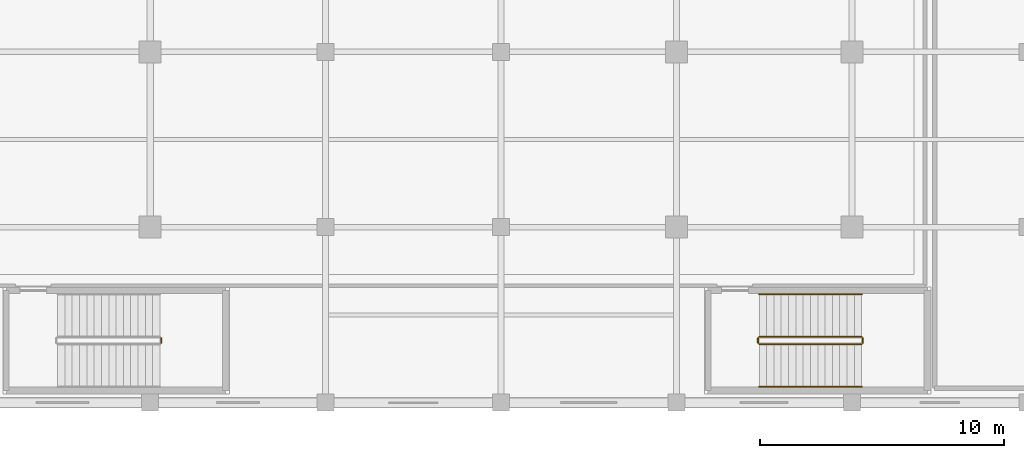
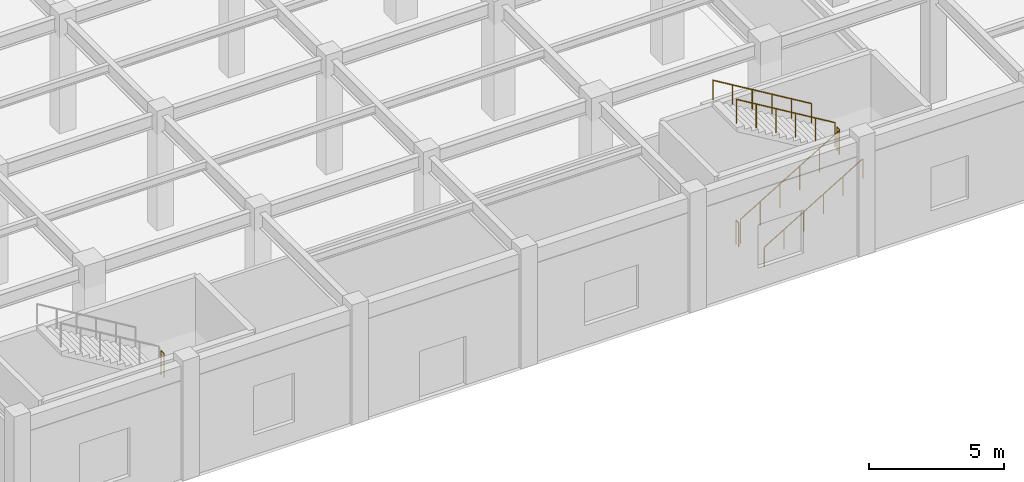
# One storey, part 99 of 102: 7 railings.
"""IFC4 building model written with IfcOpenShell, lengths in metres."""

from ifc_helpers import new_model, si_unit, direction, frame, origin, origin_2d, place, context, subcontext, project, spatial, circle, extrude, material, layer, layer_set, type_object, element, save


model = new_model("IFC4")

# Units and contexts
model_context = context("Model", 3, precision=1e-05, world=origin(), true_north=direction((0.0, 1.0)))
body_context = subcontext(model_context, "Body", "Model", "MODEL_VIEW")
ifc_project = project(units=[si_unit("LENGTHUNIT", "METRE"), si_unit("AREAUNIT", "SQUARE_METRE"), si_unit("VOLUMEUNIT", "CUBIC_METRE"), si_unit("PLANEANGLEUNIT", "RADIAN"), si_unit("MASSUNIT", "GRAM", prefix="KILO")], contexts=[model_context])

# Site, building, storey
site_placement = place(None, origin())
site = spatial("IfcSite", under=ifc_project, at=site_placement, CompositionType="ELEMENT")
building_placement = place(site_placement, origin())
building = spatial("IfcBuilding", under=site, at=building_placement, Name="Carrowvane Square Congress Hotel", CompositionType="ELEMENT")
storey_placement = place(building_placement, origin())
storey = spatial("IfcBuildingStorey", under=building, at=storey_placement, Name="L00", CompositionType="ELEMENT", Elevation=0.0)

# Railings
ifc_material_1 = material(Name="Stainless steel 316", Category="steel")
ifc_layer_1 = layer(ifc_material_1, 0.048095703125)
ifc_layer_set_1 = layer_set([ifc_layer_1], Name="Stainless steel 316")
railing_type_1 = type_object("IfcRailingType", Name="RLG-HR-900", PredefinedType="HANDRAIL", material=ifc_layer_set_1)
railing_1_placement = place(storey_placement, frame((166.199951171875, 6.050048828125, 0.179931640625)))
element("IfcRailing", 1, at=railing_1_placement, inside=storey, type_object=railing_type_1, Name="L00 ST11 stair handrail 1", PredefinedType="HANDRAIL", context=body_context, shape_type="SweptSolid", body=[
    extrude(circle(Radius=0.02392578125, at=origin_2d()), frame((0.0, 0.0, 0.8759765625), z_axis=(0.857488527567, 0.0, 0.514503085598), x_axis=(0.0, 1.0, 0.0)), (0.0, 0.0, 1.0), 4.89794921875),
    extrude(circle(Radius=0.02099609375, at=origin_2d()), origin(), (0.0, 0.0, 1.0), 0.851806640625),
    extrude(circle(Radius=0.02099609375, at=origin_2d()), frame((0.840087890625, 0.0, 0.50390625)), (0.0, 0.0, 1.0), 0.851806640625),
    extrude(circle(Radius=0.02099609375, at=origin_2d()), frame((1.679931640625, 0.0, 1.008056640625)), (0.0, 0.0, 1.0), 0.851806640625),
    extrude(circle(Radius=0.02099609375, at=origin_2d()), frame((2.52001953125, 0.0, 1.511962890625)), (0.0, 0.0, 1.0), 0.851806640625),
    extrude(circle(Radius=0.02099609375, at=origin_2d()), frame((3.35986328125, 0.0, 2.01611328125)), (0.0, 0.0, 1.0), 0.851806640625),
    extrude(circle(Radius=0.02099609375, at=origin_2d()), frame((4.199951171875, 0.0, 2.52001953125)), (0.0, 0.0, 1.0), 0.851806640625),
])
railing_2_placement = place(storey_placement, frame((170.39990234375, 9.85009765625, 2.8798828125)))
element("IfcRailing", 2, at=railing_2_placement, inside=storey, type_object=railing_type_1, Name="L00 ST11 stair handrail 2", PredefinedType="HANDRAIL", context=body_context, shape_type="SweptSolid", body=[
    extrude(circle(Radius=0.02392578125, at=origin_2d()), frame((0.0, 0.0, 0.8759765625), z_axis=(-0.857488527567, 0.0, 0.514503085598), x_axis=(0.0, -1.0, 0.0)), (0.0, 0.0, 1.0), 4.89794921875),
    extrude(circle(Radius=0.02099609375, at=origin_2d()), origin(), (0.0, 0.0, 1.0), 0.851806640625),
    extrude(circle(Radius=0.02099609375, at=origin_2d()), frame((-0.840087890625, 0.0, 0.50390625)), (0.0, 0.0, 1.0), 0.851806640625),
    extrude(circle(Radius=0.02099609375, at=origin_2d()), frame((-1.679931640625, 0.0, 1.008056640625)), (0.0, 0.0, 1.0), 0.851806640625),
    extrude(circle(Radius=0.02099609375, at=origin_2d()), frame((-2.52001953125, 0.0, 1.511962890625)), (0.0, 0.0, 1.0), 0.851806640625),
    extrude(circle(Radius=0.02099609375, at=origin_2d()), frame((-3.35986328125, 0.0, 2.01611328125)), (0.0, 0.0, 1.0), 0.851806640625),
    extrude(circle(Radius=0.02099609375, at=origin_2d()), frame((-4.199951171875, 0.0, 2.52001953125)), (0.0, 0.0, 1.0), 0.851806640625),
])
ifc_material_2 = material(Name="Galvanised steel", Category="steel")
ifc_layer_2 = layer(ifc_material_2, 0.048095703125)
ifc_layer_set_2 = layer_set([ifc_layer_2], Name="Galvanised steel")
railing_type_2 = type_object("IfcRailingType", Name="RLG-STG-1100", PredefinedType="GUARDRAIL", material=ifc_layer_set_2)
railing_3_placement = place(storey_placement, frame((141.64990234375, 7.85009765625, 2.699951171875)))
element("IfcRailing", 3, at=railing_3_placement, inside=storey, type_object=railing_type_2, Name="L00 ST10 stair guard 2", PredefinedType="GUARDRAIL", context=body_context, shape_type="SweptSolid", body=[
    extrude(circle(Radius=0.02392578125, at=origin_2d()), frame((0.0, 0.0, 1.076171875), z_axis=(0.0, 1.0, 0.0), x_axis=(-1.0, 0.0, 0.0)), (0.0, 0.0, 1.0), 0.199951171875),
    extrude(circle(Radius=0.02099609375, at=origin_2d()), origin(), (0.0, 0.0, 1.0), 1.052001953125),
    extrude(circle(Radius=0.02099609375, at=origin_2d()), frame((0.0, 0.199951171875, 0.0)), (0.0, 0.0, 1.0), 1.052001953125),
])
railing_4_placement = place(storey_placement, frame((166.199951171875, 7.800048828125, 0.179931640625)))
element("IfcRailing", 4, at=railing_4_placement, inside=storey, type_object=railing_type_2, Name="L00 ST11 stair guard 1", PredefinedType="GUARDRAIL", context=body_context, shape_type="SweptSolid", body=[
    extrude(circle(Radius=0.02392578125, at=origin_2d()), frame((0.0, 0.0, 1.076171875), z_axis=(0.857488527567, 0.0, 0.514503085598), x_axis=(0.0, 1.0, 0.0)), (0.0, 0.0, 1.0), 4.89794921875),
    extrude(circle(Radius=0.02099609375, at=origin_2d()), origin(), (0.0, 0.0, 1.0), 1.052001953125),
    extrude(circle(Radius=0.02099609375, at=origin_2d()), frame((0.840087890625, 0.0, 0.50390625)), (0.0, 0.0, 1.0), 1.052001953125),
    extrude(circle(Radius=0.02099609375, at=origin_2d()), frame((1.679931640625, 0.0, 1.008056640625)), (0.0, 0.0, 1.0), 1.052001953125),
    extrude(circle(Radius=0.02099609375, at=origin_2d()), frame((2.52001953125, 0.0, 1.511962890625)), (0.0, 0.0, 1.0), 1.052001953125),
    extrude(circle(Radius=0.02099609375, at=origin_2d()), frame((3.35986328125, 0.0, 2.01611328125)), (0.0, 0.0, 1.0), 1.052001953125),
    extrude(circle(Radius=0.02099609375, at=origin_2d()), frame((4.199951171875, 0.0, 2.52001953125)), (0.0, 0.0, 1.0), 1.052001953125),
])
railing_5_placement = place(storey_placement, frame((170.449951171875, 7.85009765625, 2.699951171875)))
element("IfcRailing", 5, at=railing_5_placement, inside=storey, type_object=railing_type_2, Name="L00 ST11 stair guard 2", PredefinedType="GUARDRAIL", context=body_context, shape_type="SweptSolid", body=[
    extrude(circle(Radius=0.02392578125, at=origin_2d()), frame((0.0, 0.0, 1.076171875), z_axis=(0.0, 1.0, 0.0), x_axis=(-1.0, 0.0, 0.0)), (0.0, 0.0, 1.0), 0.199951171875),
    extrude(circle(Radius=0.02099609375, at=origin_2d()), origin(), (0.0, 0.0, 1.0), 1.052001953125),
    extrude(circle(Radius=0.02099609375, at=origin_2d()), frame((0.0, 0.199951171875, 0.0)), (0.0, 0.0, 1.0), 1.052001953125),
])
railing_6_placement = place(storey_placement, frame((170.39990234375, 8.10009765625, 2.8798828125)))
element("IfcRailing", 6, at=railing_6_placement, inside=storey, type_object=railing_type_2, Name="L00 ST11 stair guard 3", PredefinedType="GUARDRAIL", context=body_context, shape_type="SweptSolid", body=[
    extrude(circle(Radius=0.02392578125, at=origin_2d()), frame((0.0, 0.0, 1.076171875), z_axis=(-0.857488527567, 0.0, 0.514503085598), x_axis=(0.0, -1.0, 0.0)), (0.0, 0.0, 1.0), 4.89794921875),
    extrude(circle(Radius=0.02099609375, at=origin_2d()), origin(), (0.0, 0.0, 1.0), 1.052001953125),
    extrude(circle(Radius=0.02099609375, at=origin_2d()), frame((-0.840087890625, 0.0, 0.50390625)), (0.0, 0.0, 1.0), 1.052001953125),
    extrude(circle(Radius=0.02099609375, at=origin_2d()), frame((-1.679931640625, 0.0, 1.008056640625)), (0.0, 0.0, 1.0), 1.052001953125),
    extrude(circle(Radius=0.02099609375, at=origin_2d()), frame((-2.52001953125, 0.0, 1.511962890625)), (0.0, 0.0, 1.0), 1.052001953125),
    extrude(circle(Radius=0.02099609375, at=origin_2d()), frame((-3.35986328125, 0.0, 2.01611328125)), (0.0, 0.0, 1.0), 1.052001953125),
    extrude(circle(Radius=0.02099609375, at=origin_2d()), frame((-4.199951171875, 0.0, 2.52001953125)), (0.0, 0.0, 1.0), 1.052001953125),
])
railing_7_placement = place(storey_placement, frame((166.14990234375, 7.85009765625, 0.0)))
element("IfcRailing", 7, at=railing_7_placement, inside=storey, type_object=railing_type_2, Name="L00 ST11 stair guard 4", PredefinedType="GUARDRAIL", context=body_context, shape_type="SweptSolid", body=[
    extrude(circle(Radius=0.02392578125, at=origin_2d()), frame((0.0, 0.0, 1.076171875), z_axis=(0.0, 1.0, 0.0), x_axis=(-1.0, 0.0, 0.0)), (0.0, 0.0, 1.0), 0.199951171875),
    extrude(circle(Radius=0.02099609375, at=origin_2d()), origin(), (0.0, 0.0, 1.0), 1.052001953125),
    extrude(circle(Radius=0.02099609375, at=origin_2d()), frame((0.0, 0.199951171875, 0.0)), (0.0, 0.0, 1.0), 1.052001953125),
])

save(model, "model.ifc")
